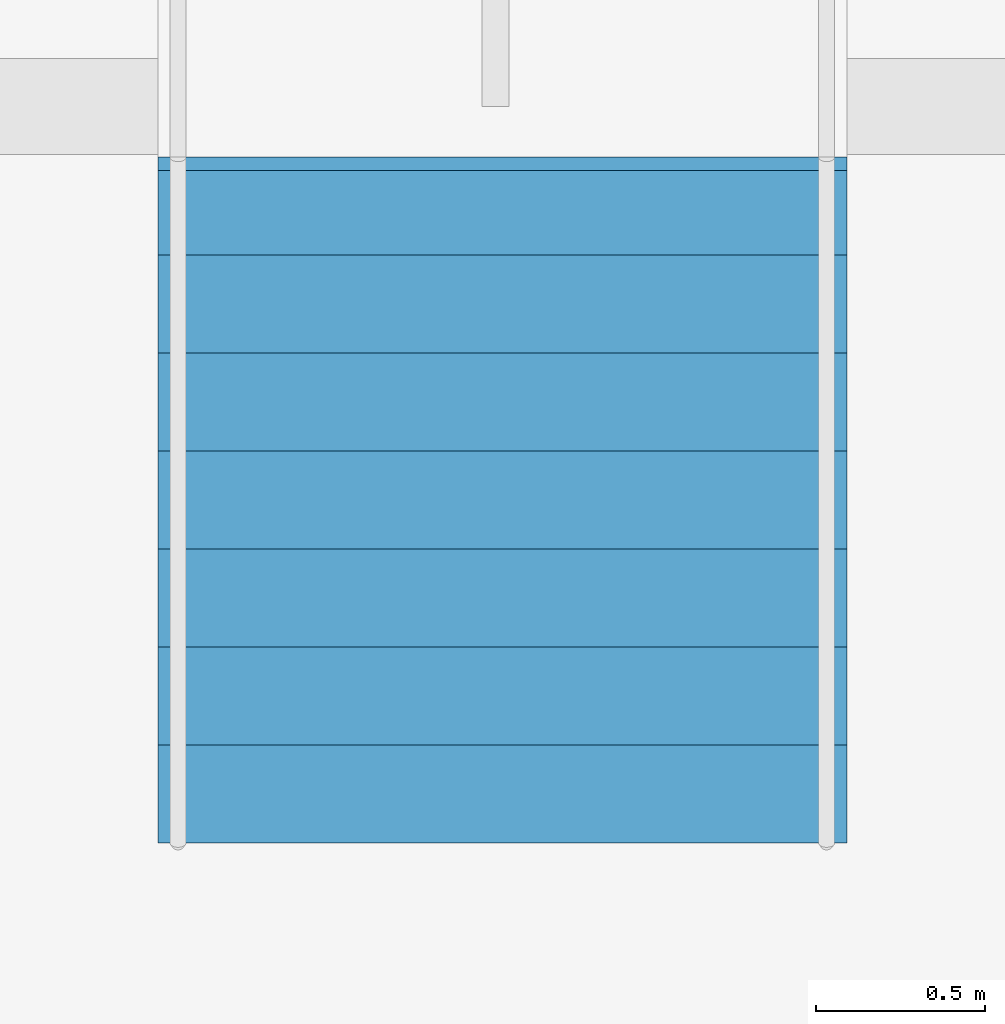
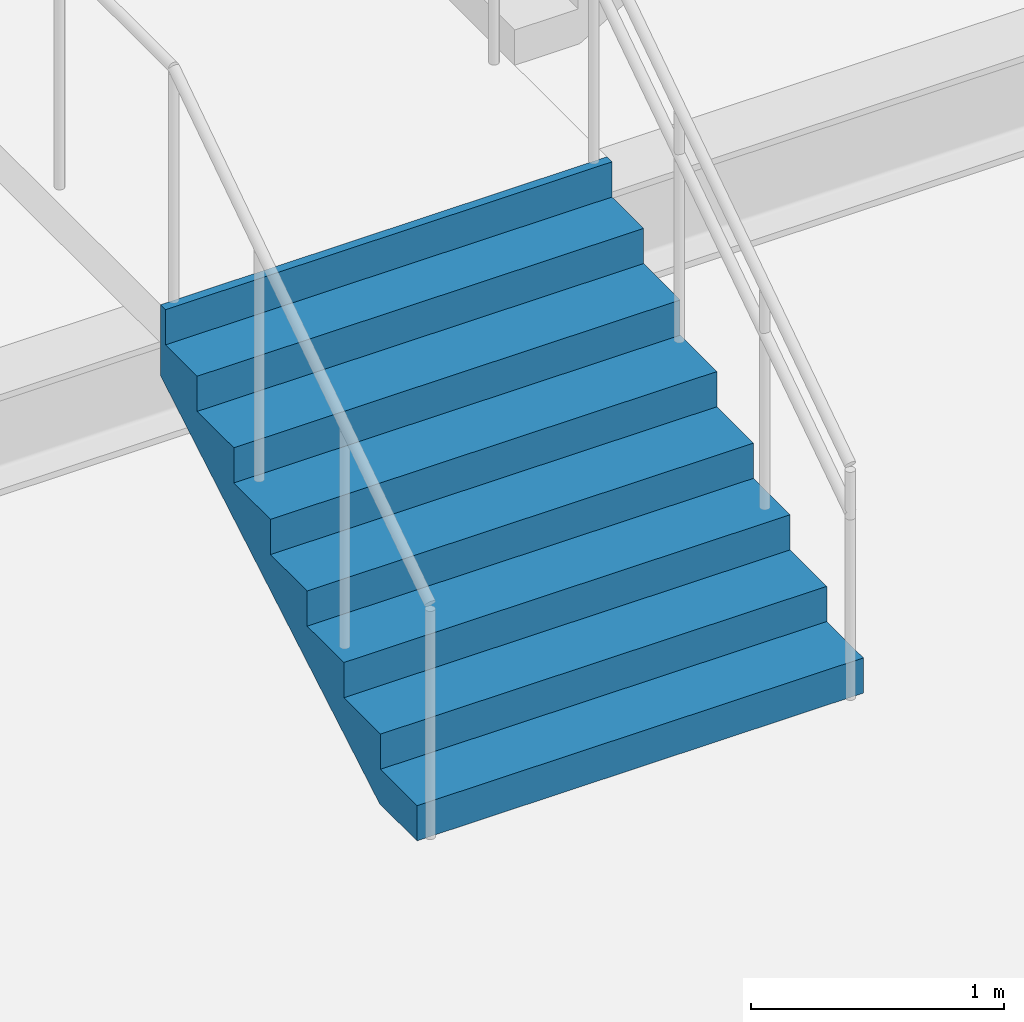
# One storey, part 63 of 70: 1 stair flight, 1 element without a shape of its own.
"""IFC4 building model written with IfcOpenShell, lengths in metres."""

from ifc_helpers import new_model, si_unit, direction, frame, origin, place, context, subcontext, project, spatial, triangles, material, type_object, element, aggregate, save


model = new_model("IFC4")

# Units and contexts
model_context = context("Model", 3, precision=1e-05, world=origin(), true_north=direction((0.0, 1.0)))
body_context = subcontext(model_context, "Body", "Model", "MODEL_VIEW")
ifc_project = project(units=[si_unit("LENGTHUNIT", "METRE"), si_unit("AREAUNIT", "SQUARE_METRE"), si_unit("VOLUMEUNIT", "CUBIC_METRE"), si_unit("PLANEANGLEUNIT", "RADIAN"), si_unit("MASSUNIT", "GRAM", prefix="KILO")], contexts=[model_context])

# Site, building, storey
site_placement = place(None, origin())
site = spatial("IfcSite", under=ifc_project, at=site_placement, CompositionType="ELEMENT")
building_placement = place(site_placement, origin())
building = spatial("IfcBuilding", under=site, at=building_placement, Name="Sillaruma Civic Art Gallery", CompositionType="ELEMENT")
storey_placement = place(building_placement, frame((0.0, 0.0, 66.300048828125)))
storey = spatial("IfcBuildingStorey", under=building, at=storey_placement, Name="L13", CompositionType="ELEMENT", Elevation=66.300048828125)

# Stair, stair flight
ifc_material = material(Name="Concrete H35 (35 MPa)", Category="concrete")
stair_type = type_object("IfcStairType", Name="STR-3F-24", PredefinedType="TWO_QUARTER_TURN_STAIR", material=ifc_material)
stair_placement = place(storey_placement, origin())
stair = element("IfcStair", 1, at=stair_placement, inside=storey, type_object=stair_type, Name="Monumental Gallery Feature Stair ST-G08 (L13)", PredefinedType="TWO_QUARTER_TURN_STAIR")
stair_flight_type = type_object("IfcStairFlightType", Name="SFL-STR-8", PredefinedType="STRAIGHT", material=ifc_material)
stair_flight_placement = place(storey_placement, frame((85.6201171875, 71.0, 0.0), z_axis=(0.0, 0.0, 1.0), x_axis=(0.0, 1.0, 0.0)))
stair_flight = element("IfcStairFlight", 2, at=stair_flight_placement, type_object=stair_flight_type, Name="ST-G08 flight 1", NumberOfRisers=8, NumberOfTreads=7, PredefinedType="STRAIGHT", RiserHeight=0.17, TreadLength=0.29, context=body_context, shape_type="Tessellation", body=[
    triangles([(0.0, -1.02001953125, 0.0), (0.29, -1.02001953125, 0.0), (0.296443, -1.02001953125, 0.0), (0.58, -1.02001953125, 0.166223), (0.87, -1.02001953125, 0.336223), (1.16, -1.02001953125, 0.506223), (1.45, -1.02001953125, 0.676223), (1.74, -1.02001953125, 0.846223), (1.990029, -1.02001953125, 0.992792), (2.030029, -1.02001953125, 1.01624), (2.030029, -1.02001953125, 1.36), (1.990029, -1.02001953125, 1.36), (1.990029, -1.02001953125, 1.19), (1.74, -1.02001953125, 1.19), (1.74, -1.02001953125, 1.02), (1.45, -1.02001953125, 1.02), (1.45, -1.02001953125, 0.85), (1.16, -1.02001953125, 0.85), (1.16, -1.02001953125, 0.68), (0.87, -1.02001953125, 0.68), (0.87, -1.02001953125, 0.51), (0.58, -1.02001953125, 0.51), (0.58, -1.02001953125, 0.34), (0.296443, -1.02001953125, 0.34), (0.29, -1.02001953125, 0.34), (0.29, -1.02001953125, 0.17), (0.0, -1.02001953125, 0.17), (0.0, -0.05, 0.0), (0.29, -0.05, 0.0), (0.296443, -0.05, 0.0), (0.58, -0.05, 0.166223), (0.87, -0.05, 0.336223), (1.16, -0.05, 0.506223), (1.45, -0.05, 0.676223), (1.74, -0.05, 0.846223), (1.990029, -0.05, 0.992792), (2.030029, -0.05, 1.01624), (2.030029, -0.05, 1.36), (1.990029, -0.05, 1.36), (1.990029, -0.05, 1.19), (1.74, -0.05, 1.19), (1.74, -0.05, 1.02), (1.45, -0.05, 1.02), (1.45, -0.05, 0.85), (1.16, -0.05, 0.85), (1.16, -0.05, 0.68), (0.87, -0.05, 0.68), (0.87, -0.05, 0.51), (0.58, -0.05, 0.51), (0.58, -0.05, 0.34), (0.296443, -0.05, 0.34), (0.29, -0.05, 0.34), (0.29, -0.05, 0.17), (0.0, -0.05, 0.17), (0.0, -0.0375, 0.0), (0.29, -0.0375, 0.0), (0.296443, -0.0375, 0.0), (0.58, -0.0375, 0.166223), (0.87, -0.0375, 0.336223), (1.16, -0.0375, 0.506223), (1.45, -0.0375, 0.676223), (1.74, -0.0375, 0.846223), (1.990029, -0.0375, 0.992792), (2.030029, -0.0375, 1.01624), (2.030029, -0.0375, 1.36), (1.990029, -0.0375, 1.36), (1.990029, -0.0375, 1.19), (1.74, -0.0375, 1.19), (1.74, -0.0375, 1.02), (1.45, -0.0375, 1.02), (1.45, -0.0375, 0.85), (1.16, -0.0375, 0.85), (1.16, -0.0375, 0.68), (0.87, -0.0375, 0.68), (0.87, -0.0375, 0.51), (0.58, -0.0375, 0.51), (0.58, -0.0375, 0.34), (0.296443, -0.0375, 0.34), (0.29, -0.0375, 0.34), (0.29, -0.0375, 0.17), (0.0, -0.0375, 0.17), (0.0, -0.025, 0.0), (0.29, -0.025, 0.0), (0.296443, -0.025, 0.0), (0.58, -0.025, 0.166223), (0.87, -0.025, 0.336223), (1.16, -0.025, 0.506223), (1.45, -0.025, 0.676223), (1.74, -0.025, 0.846223), (1.990029, -0.025, 0.992792), (2.030029, -0.025, 1.01624), (2.030029, -0.025, 1.36), (1.990029, -0.025, 1.36), (1.990029, -0.025, 1.19), (1.74, -0.025, 1.19), (1.74, -0.025, 1.02), (1.45, -0.025, 1.02), (1.45, -0.025, 0.85), (1.16, -0.025, 0.85), (1.16, -0.025, 0.68), (0.87, -0.025, 0.68), (0.87, -0.025, 0.51), (0.58, -0.025, 0.51), (0.58, -0.025, 0.34), (0.296443, -0.025, 0.34), (0.29, -0.025, 0.34), (0.29, -0.025, 0.17), (0.0, -0.025, 0.17), (0.0, -0.0125, 0.0), (0.29, -0.0125, 0.0), (0.296443, -0.0125, 0.0), (0.58, -0.0125, 0.166223), (0.87, -0.0125, 0.336223), (1.16, -0.0125, 0.506223), (1.45, -0.0125, 0.676223), (1.74, -0.0125, 0.846223), (1.990029, -0.0125, 0.992792), (2.030029, -0.0125, 1.01624), (2.030029, -0.0125, 1.36), (1.990029, -0.0125, 1.36), (1.990029, -0.0125, 1.19), (1.74, -0.0125, 1.19), (1.74, -0.0125, 1.02), (1.45, -0.0125, 1.02), (1.45, -0.0125, 0.85), (1.16, -0.0125, 0.85), (1.16, -0.0125, 0.68), (0.87, -0.0125, 0.68), (0.87, -0.0125, 0.51), (0.58, -0.0125, 0.51), (0.58, -0.0125, 0.34), (0.296443, -0.0125, 0.34), (0.29, -0.0125, 0.34), (0.29, -0.0125, 0.17), (0.0, -0.0125, 0.17), (0.0, 0.0, 0.0), (0.29, 0.0, 0.0), (0.296443, 0.0, 0.0), (0.58, 0.0, 0.166223), (0.87, 0.0, 0.336223), (1.16, 0.0, 0.506223), (1.45, 0.0, 0.676223), (1.74, 0.0, 0.846223), (1.990029, 0.0, 0.992792), (2.030029, 0.0, 1.01624), (2.030029, 0.0, 1.36), (1.990029, 0.0, 1.36), (1.990029, 0.0, 1.19), (1.74, 0.0, 1.19), (1.74, 0.0, 1.02), (1.45, 0.0, 1.02), (1.45, 0.0, 0.85), (1.16, 0.0, 0.85), (1.16, 0.0, 0.68), (0.87, 0.0, 0.68), (0.87, 0.0, 0.51), (0.58, 0.0, 0.51), (0.58, 0.0, 0.34), (0.296443, 0.0, 0.34), (0.29, 0.0, 0.34), (0.29, 0.0, 0.17), (0.0, 0.0, 0.17), (0.0, 0.0125, 0.0), (0.29, 0.0125, 0.0), (0.296443, 0.0125, 0.0), (0.58, 0.0125, 0.166223), (0.87, 0.0125, 0.336223), (1.16, 0.0125, 0.506223), (1.45, 0.0125, 0.676223), (1.74, 0.0125, 0.846223), (1.990029, 0.0125, 0.992792), (2.030029, 0.0125, 1.01624), (2.030029, 0.0125, 1.36), (1.990029, 0.0125, 1.36), (1.990029, 0.0125, 1.19), (1.74, 0.0125, 1.19), (1.74, 0.0125, 1.02), (1.45, 0.0125, 1.02), (1.45, 0.0125, 0.85), (1.16, 0.0125, 0.85), (1.16, 0.0125, 0.68), (0.87, 0.0125, 0.68), (0.87, 0.0125, 0.51), (0.58, 0.0125, 0.51), (0.58, 0.0125, 0.34), (0.296443, 0.0125, 0.34), (0.29, 0.0125, 0.34), (0.29, 0.0125, 0.17), (0.0, 0.0125, 0.17), (0.0, 0.025, 0.0), (0.29, 0.025, 0.0), (0.296443, 0.025, 0.0), (0.58, 0.025, 0.166223), (0.87, 0.025, 0.336223), (1.16, 0.025, 0.506223), (1.45, 0.025, 0.676223), (1.74, 0.025, 0.846223), (1.990029, 0.025, 0.992792), (2.030029, 0.025, 1.01624), (2.030029, 0.025, 1.36), (1.990029, 0.025, 1.36), (1.990029, 0.025, 1.19), (1.74, 0.025, 1.19), (1.74, 0.025, 1.02), (1.45, 0.025, 1.02), (1.45, 0.025, 0.85), (1.16, 0.025, 0.85), (1.16, 0.025, 0.68), (0.87, 0.025, 0.68), (0.87, 0.025, 0.51), (0.58, 0.025, 0.51), (0.58, 0.025, 0.34), (0.296443, 0.025, 0.34), (0.29, 0.025, 0.34), (0.29, 0.025, 0.17), (0.0, 0.025, 0.17), (0.0, 0.0375, 0.0), (0.29, 0.0375, 0.0), (0.296443, 0.0375, 0.0), (0.58, 0.0375, 0.166223), (0.87, 0.0375, 0.336223), (1.16, 0.0375, 0.506223), (1.45, 0.0375, 0.676223), (1.74, 0.0375, 0.846223), (1.990029, 0.0375, 0.992792), (2.030029, 0.0375, 1.01624), (2.030029, 0.0375, 1.36), (1.990029, 0.0375, 1.36), (1.990029, 0.0375, 1.19), (1.74, 0.0375, 1.19), (1.74, 0.0375, 1.02), (1.45, 0.0375, 1.02), (1.45, 0.0375, 0.85), (1.16, 0.0375, 0.85), (1.16, 0.0375, 0.68), (0.87, 0.0375, 0.68), (0.87, 0.0375, 0.51), (0.58, 0.0375, 0.51), (0.58, 0.0375, 0.34), (0.296443, 0.0375, 0.34), (0.29, 0.0375, 0.34), (0.29, 0.0375, 0.17), (0.0, 0.0375, 0.17), (0.0, 0.05, 0.0), (0.29, 0.05, 0.0), (0.296443, 0.05, 0.0), (0.58, 0.05, 0.166223), (0.87, 0.05, 0.336223), (1.16, 0.05, 0.506223), (1.45, 0.05, 0.676223), (1.74, 0.05, 0.846223), (1.990029, 0.05, 0.992792), (2.030029, 0.05, 1.01624), (2.030029, 0.05, 1.36), (1.990029, 0.05, 1.36), (1.990029, 0.05, 1.19), (1.74, 0.05, 1.19), (1.74, 0.05, 1.02), (1.45, 0.05, 1.02), (1.45, 0.05, 0.85), (1.16, 0.05, 0.85), (1.16, 0.05, 0.68), (0.87, 0.05, 0.68), (0.87, 0.05, 0.51), (0.58, 0.05, 0.51), (0.58, 0.05, 0.34), (0.296443, 0.05, 0.34), (0.29, 0.05, 0.34), (0.29, 0.05, 0.17), (0.0, 0.05, 0.17), (0.0, 1.02001953125, 0.0), (0.29, 1.02001953125, 0.0), (0.296443, 1.02001953125, 0.0), (0.58, 1.02001953125, 0.166223), (0.87, 1.02001953125, 0.336223), (1.16, 1.02001953125, 0.506223), (1.45, 1.02001953125, 0.676223), (1.74, 1.02001953125, 0.846223), (1.990029, 1.02001953125, 0.992792), (2.030029, 1.02001953125, 1.01624), (2.030029, 1.02001953125, 1.36), (1.990029, 1.02001953125, 1.36), (1.990029, 1.02001953125, 1.19), (1.74, 1.02001953125, 1.19), (1.74, 1.02001953125, 1.02), (1.45, 1.02001953125, 1.02), (1.45, 1.02001953125, 0.85), (1.16, 1.02001953125, 0.85), (1.16, 1.02001953125, 0.68), (0.87, 1.02001953125, 0.68), (0.87, 1.02001953125, 0.51), (0.58, 1.02001953125, 0.51), (0.58, 1.02001953125, 0.34), (0.296443, 1.02001953125, 0.34), (0.29, 1.02001953125, 0.34), (0.29, 1.02001953125, 0.17), (0.0, 1.02001953125, 0.17)], [[1, 2, 26], [1, 26, 27], [2, 3, 24], [2, 24, 26], [26, 24, 25], [3, 4, 23], [3, 23, 24], [4, 5, 21], [4, 21, 23], [23, 21, 22], [5, 6, 19], [5, 19, 21], [21, 19, 20], [6, 7, 17], [6, 17, 19], [19, 17, 18], [7, 8, 15], [7, 15, 17], [17, 15, 16], [8, 9, 13], [8, 13, 15], [15, 13, 14], [9, 10, 11], [9, 11, 13], [13, 11, 12], [296, 272, 271], [297, 296, 271], [294, 273, 272], [296, 294, 272], [295, 294, 296], [293, 274, 273], [294, 293, 273], [291, 275, 274], [293, 291, 274], [292, 291, 293], [289, 276, 275], [291, 289, 275], [290, 289, 291], [287, 277, 276], [289, 287, 276], [288, 287, 289], [285, 278, 277], [287, 285, 277], [286, 285, 287], [283, 279, 278], [285, 283, 278], [284, 283, 285], [281, 280, 279], [283, 281, 279], [282, 281, 283], [2, 1, 28], [2, 28, 29], [3, 2, 29], [3, 29, 30], [4, 3, 30], [4, 30, 31], [5, 4, 31], [5, 31, 32], [6, 5, 32], [6, 32, 33], [7, 6, 33], [7, 33, 34], [8, 7, 34], [8, 34, 35], [9, 8, 35], [9, 35, 36], [10, 9, 36], [10, 36, 37], [11, 10, 37], [11, 37, 38], [12, 11, 38], [12, 38, 39], [13, 12, 39], [13, 39, 40], [14, 13, 40], [14, 40, 41], [15, 14, 41], [15, 41, 42], [16, 15, 42], [16, 42, 43], [17, 16, 43], [17, 43, 44], [18, 17, 44], [18, 44, 45], [19, 18, 45], [19, 45, 46], [20, 19, 46], [20, 46, 47], [21, 20, 47], [21, 47, 48], [22, 21, 48], [22, 48, 49], [23, 22, 49], [23, 49, 50], [24, 23, 50], [24, 50, 51], [25, 24, 51], [25, 51, 52], [26, 25, 52], [26, 52, 53], [27, 26, 53], [27, 53, 54], [1, 27, 54], [1, 54, 28], [29, 28, 55], [29, 55, 56], [30, 29, 56], [30, 56, 57], [31, 30, 57], [31, 57, 58], [32, 31, 58], [32, 58, 59], [33, 32, 59], [33, 59, 60], [34, 33, 60], [34, 60, 61], [35, 34, 61], [35, 61, 62], [36, 35, 62], [36, 62, 63], [37, 36, 63], [37, 63, 64], [38, 37, 64], [38, 64, 65], [39, 38, 65], [39, 65, 66], [40, 39, 66], [40, 66, 67], [41, 40, 67], [41, 67, 68], [42, 41, 68], [42, 68, 69], [43, 42, 69], [43, 69, 70], [44, 43, 70], [44, 70, 71], [45, 44, 71], [45, 71, 72], [46, 45, 72], [46, 72, 73], [47, 46, 73], [47, 73, 74], [48, 47, 74], [48, 74, 75], [49, 48, 75], [49, 75, 76], [50, 49, 76], [50, 76, 77], [51, 50, 77], [51, 77, 78], [52, 51, 78], [52, 78, 79], [53, 52, 79], [53, 79, 80], [54, 53, 80], [54, 80, 81], [28, 54, 81], [28, 81, 55], [56, 55, 82], [56, 82, 83], [57, 56, 83], [57, 83, 84], [58, 57, 84], [58, 84, 85], [59, 58, 85], [59, 85, 86], [60, 59, 86], [60, 86, 87], [61, 60, 87], [61, 87, 88], [62, 61, 88], [62, 88, 89], [63, 62, 89], [63, 89, 90], [64, 63, 90], [64, 90, 91], [65, 64, 91], [65, 91, 92], [66, 65, 92], [66, 92, 93], [67, 66, 93], [67, 93, 94], [68, 67, 94], [68, 94, 95], [69, 68, 95], [69, 95, 96], [70, 69, 96], [70, 96, 97], [71, 70, 97], [71, 97, 98], [72, 71, 98], [72, 98, 99], [73, 72, 99], [73, 99, 100], [74, 73, 100], [74, 100, 101], [75, 74, 101], [75, 101, 102], [76, 75, 102], [76, 102, 103], [77, 76, 103], [77, 103, 104], [78, 77, 104], [78, 104, 105], [79, 78, 105], [79, 105, 106], [80, 79, 106], [80, 106, 107], [81, 80, 107], [81, 107, 108], [55, 81, 108], [55, 108, 82], [83, 82, 109], [83, 109, 110], [84, 83, 110], [84, 110, 111], [85, 84, 111], [85, 111, 112], [86, 85, 112], [86, 112, 113], [87, 86, 113], [87, 113, 114], [88, 87, 114], [88, 114, 115], [89, 88, 115], [89, 115, 116], [90, 89, 116], [90, 116, 117], [91, 90, 117], [91, 117, 118], [92, 91, 118], [92, 118, 119], [93, 92, 119], [93, 119, 120], [94, 93, 120], [94, 120, 121], [95, 94, 121], [95, 121, 122], [96, 95, 122], [96, 122, 123], [97, 96, 123], [97, 123, 124], [98, 97, 124], [98, 124, 125], [99, 98, 125], [99, 125, 126], [100, 99, 126], [100, 126, 127], [101, 100, 127], [101, 127, 128], [102, 101, 128], [102, 128, 129], [103, 102, 129], [103, 129, 130], [104, 103, 130], [104, 130, 131], [105, 104, 131], [105, 131, 132], [106, 105, 132], [106, 132, 133], [107, 106, 133], [107, 133, 134], [108, 107, 134], [108, 134, 135], [82, 108, 135], [82, 135, 109], [110, 109, 136], [110, 136, 137], [111, 110, 137], [111, 137, 138], [112, 111, 138], [112, 138, 139], [113, 112, 139], [113, 139, 140], [114, 113, 140], [114, 140, 141], [115, 114, 141], [115, 141, 142], [116, 115, 142], [116, 142, 143], [117, 116, 143], [117, 143, 144], [118, 117, 144], [118, 144, 145], [119, 118, 145], [119, 145, 146], [120, 119, 146], [120, 146, 147], [121, 120, 147], [121, 147, 148], [122, 121, 148], [122, 148, 149], [123, 122, 149], [123, 149, 150], [124, 123, 150], [124, 150, 151], [125, 124, 151], [125, 151, 152], [126, 125, 152], [126, 152, 153], [127, 126, 153], [127, 153, 154], [128, 127, 154], [128, 154, 155], [129, 128, 155], [129, 155, 156], [130, 129, 156], [130, 156, 157], [131, 130, 157], [131, 157, 158], [132, 131, 158], [132, 158, 159], [133, 132, 159], [133, 159, 160], [134, 133, 160], [134, 160, 161], [135, 134, 161], [135, 161, 162], [109, 135, 162], [109, 162, 136], [137, 136, 163], [137, 163, 164], [138, 137, 164], [138, 164, 165], [139, 138, 165], [139, 165, 166], [140, 139, 166], [140, 166, 167], [141, 140, 167], [141, 167, 168], [142, 141, 168], [142, 168, 169], [143, 142, 169], [143, 169, 170], [144, 143, 170], [144, 170, 171], [145, 144, 171], [145, 171, 172], [146, 145, 172], [146, 172, 173], [147, 146, 173], [147, 173, 174], [148, 147, 174], [148, 174, 175], [149, 148, 175], [149, 175, 176], [150, 149, 176], [150, 176, 177], [151, 150, 177], [151, 177, 178], [152, 151, 178], [152, 178, 179], [153, 152, 179], [153, 179, 180], [154, 153, 180], [154, 180, 181], [155, 154, 181], [155, 181, 182], [156, 155, 182], [156, 182, 183], [157, 156, 183], [157, 183, 184], [158, 157, 184], [158, 184, 185], [159, 158, 185], [159, 185, 186], [160, 159, 186], [160, 186, 187], [161, 160, 187], [161, 187, 188], [162, 161, 188], [162, 188, 189], [136, 162, 189], [136, 189, 163], [164, 163, 190], [164, 190, 191], [165, 164, 191], [165, 191, 192], [166, 165, 192], [166, 192, 193], [167, 166, 193], [167, 193, 194], [168, 167, 194], [168, 194, 195], [169, 168, 195], [169, 195, 196], [170, 169, 196], [170, 196, 197], [171, 170, 197], [171, 197, 198], [172, 171, 198], [172, 198, 199], [173, 172, 199], [173, 199, 200], [174, 173, 200], [174, 200, 201], [175, 174, 201], [175, 201, 202], [176, 175, 202], [176, 202, 203], [177, 176, 203], [177, 203, 204], [178, 177, 204], [178, 204, 205], [179, 178, 205], [179, 205, 206], [180, 179, 206], [180, 206, 207], [181, 180, 207], [181, 207, 208], [182, 181, 208], [182, 208, 209], [183, 182, 209], [183, 209, 210], [184, 183, 210], [184, 210, 211], [185, 184, 211], [185, 211, 212], [186, 185, 212], [186, 212, 213], [187, 186, 213], [187, 213, 214], [188, 187, 214], [188, 214, 215], [189, 188, 215], [189, 215, 216], [163, 189, 216], [163, 216, 190], [191, 190, 217], [191, 217, 218], [192, 191, 218], [192, 218, 219], [193, 192, 219], [193, 219, 220], [194, 193, 220], [194, 220, 221], [195, 194, 221], [195, 221, 222], [196, 195, 222], [196, 222, 223], [197, 196, 223], [197, 223, 224], [198, 197, 224], [198, 224, 225], [199, 198, 225], [199, 225, 226], [200, 199, 226], [200, 226, 227], [201, 200, 227], [201, 227, 228], [202, 201, 228], [202, 228, 229], [203, 202, 229], [203, 229, 230], [204, 203, 230], [204, 230, 231], [205, 204, 231], [205, 231, 232], [206, 205, 232], [206, 232, 233], [207, 206, 233], [207, 233, 234], [208, 207, 234], [208, 234, 235], [209, 208, 235], [209, 235, 236], [210, 209, 236], [210, 236, 237], [211, 210, 237], [211, 237, 238], [212, 211, 238], [212, 238, 239], [213, 212, 239], [213, 239, 240], [214, 213, 240], [214, 240, 241], [215, 214, 241], [215, 241, 242], [216, 215, 242], [216, 242, 243], [190, 216, 243], [190, 243, 217], [218, 217, 244], [218, 244, 245], [219, 218, 245], [219, 245, 246], [220, 219, 246], [220, 246, 247], [221, 220, 247], [221, 247, 248], [222, 221, 248], [222, 248, 249], [223, 222, 249], [223, 249, 250], [224, 223, 250], [224, 250, 251], [225, 224, 251], [225, 251, 252], [226, 225, 252], [226, 252, 253], [227, 226, 253], [227, 253, 254], [228, 227, 254], [228, 254, 255], [229, 228, 255], [229, 255, 256], [230, 229, 256], [230, 256, 257], [231, 230, 257], [231, 257, 258], [232, 231, 258], [232, 258, 259], [233, 232, 259], [233, 259, 260], [234, 233, 260], [234, 260, 261], [235, 234, 261], [235, 261, 262], [236, 235, 262], [236, 262, 263], [237, 236, 263], [237, 263, 264], [238, 237, 264], [238, 264, 265], [239, 238, 265], [239, 265, 266], [240, 239, 266], [240, 266, 267], [241, 240, 267], [241, 267, 268], [242, 241, 268], [242, 268, 269], [243, 242, 269], [243, 269, 270], [217, 243, 270], [217, 270, 244], [245, 244, 271], [245, 271, 272], [246, 245, 272], [246, 272, 273], [247, 246, 273], [247, 273, 274], [248, 247, 274], [248, 274, 275], [249, 248, 275], [249, 275, 276], [250, 249, 276], [250, 276, 277], [251, 250, 277], [251, 277, 278], [252, 251, 278], [252, 278, 279], [253, 252, 279], [253, 279, 280], [254, 253, 280], [254, 280, 281], [255, 254, 281], [255, 281, 282], [256, 255, 282], [256, 282, 283], [257, 256, 283], [257, 283, 284], [258, 257, 284], [258, 284, 285], [259, 258, 285], [259, 285, 286], [260, 259, 286], [260, 286, 287], [261, 260, 287], [261, 287, 288], [262, 261, 288], [262, 288, 289], [263, 262, 289], [263, 289, 290], [264, 263, 290], [264, 290, 291], [265, 264, 291], [265, 291, 292], [266, 265, 292], [266, 292, 293], [267, 266, 293], [267, 293, 294], [268, 267, 294], [268, 294, 295], [269, 268, 295], [269, 295, 296], [270, 269, 296], [270, 296, 297], [244, 270, 297], [244, 297, 271]], closed=True),
])
aggregate(stair, [stair_flight])

save(model, "model.ifc")
